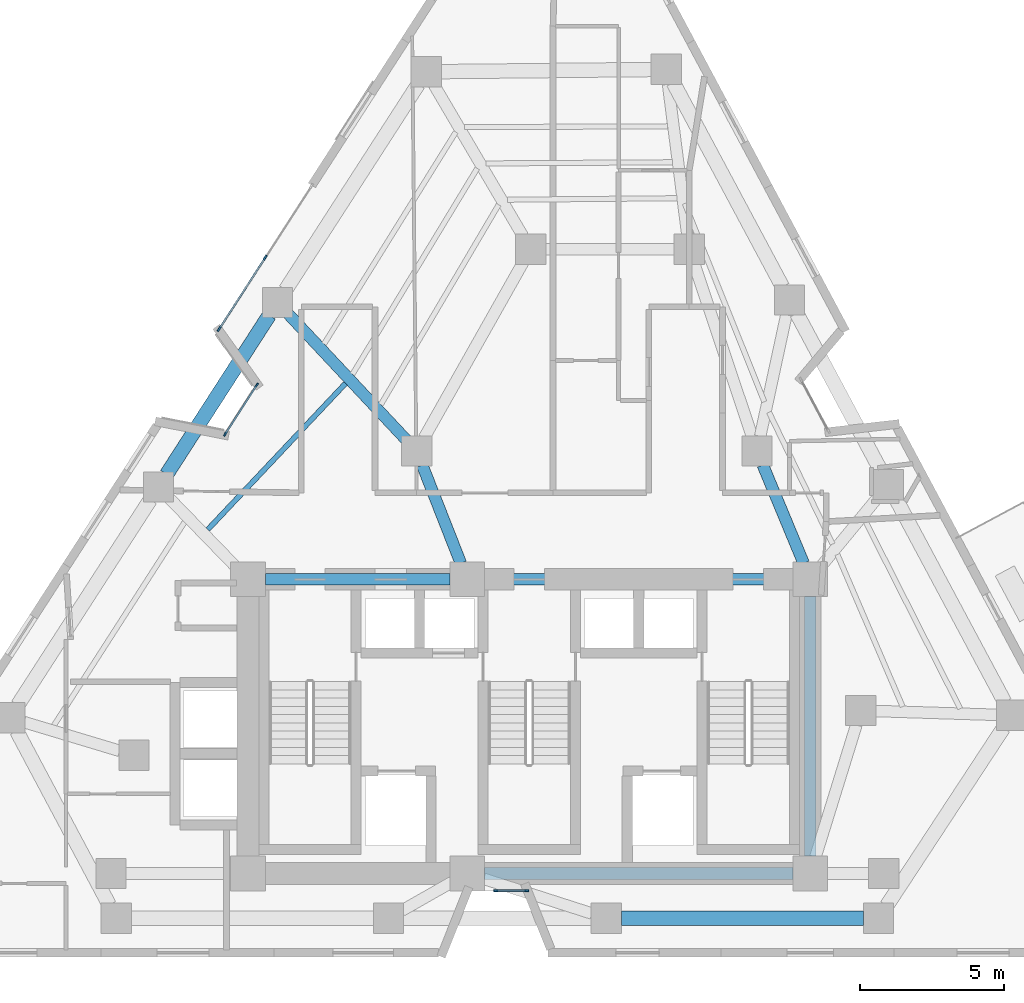
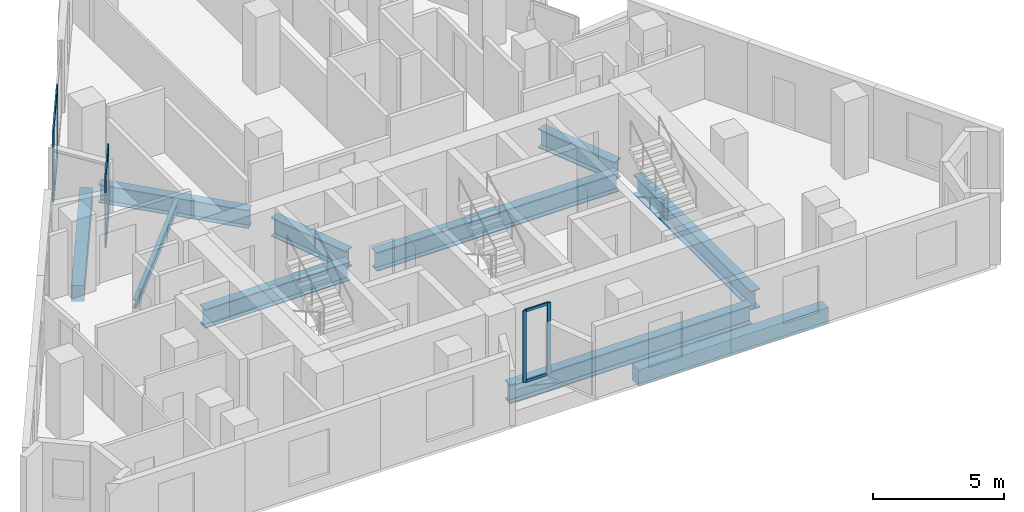
# One storey, part 2 of 12: 12 members, 10 beams, 3 elements without a shape of their own.
"""IFC4 building model written with IfcOpenShell, lengths in metres."""

from ifc_helpers import new_model, si_unit, direction, frame, origin, origin_2d, place, context, subcontext, project, spatial, rectangle, i_section, extrude, material, layer, layer_set, material_profile, profile_set, type_object, element, aggregate, save


model = new_model("IFC4")

# Units and contexts
model_context = context("Model", 3, precision=1e-05, world=origin(), true_north=direction((0.0, 1.0)))
body_context = subcontext(model_context, "Body", "Model", "MODEL_VIEW")
ifc_project = project(units=[si_unit("LENGTHUNIT", "METRE"), si_unit("AREAUNIT", "SQUARE_METRE"), si_unit("VOLUMEUNIT", "CUBIC_METRE"), si_unit("PLANEANGLEUNIT", "RADIAN"), si_unit("MASSUNIT", "GRAM", prefix="KILO")], contexts=[model_context])

# Site, building, storey
site_placement = place(None, origin())
site = spatial("IfcSite", under=ifc_project, at=site_placement, CompositionType="ELEMENT")
building_placement = place(site_placement, origin())
building = spatial("IfcBuilding", under=site, at=building_placement, Name="Almagre Mirador Tower", CompositionType="ELEMENT")
storey_placement = place(building_placement, frame((0.0, 0.0, 182.39990234375)))
storey = spatial("IfcBuildingStorey", under=building, at=storey_placement, Name="L47", CompositionType="ELEMENT", Elevation=182.39990234375)

# Beams
ifc_material_1 = material(Name="Steel ASTM A992 Grade 50", Category="steel")
ifc_material_profile_1 = material_profile(ifc_material_1, i_section(OverallWidth=0.178955078125, OverallDepth=0.408935546875, WebThickness=0.0087890625, FlangeThickness=0.014404296875, FilletRadius=0.013916015625, at=origin_2d()), Name="W16X45")
ifc_profile_set_1 = profile_set([ifc_material_profile_1], Name="Steel ASTM A992 Grade 50")
beam_type_1 = type_object("IfcBeamType", Name="BM-JST-W16X45", PredefinedType="JOIST", material=ifc_profile_set_1)
beam_1_placement = place(storey_placement, frame((30.931396484375, 21.5419921875, -0.454345703125), z_axis=(-0.685923256334, -0.727673887411, 0.0), x_axis=(0.727673887411, -0.685923256334, 0.0)))
element("IfcBeam", 1, at=beam_1_placement, inside=storey, type_object=beam_type_1, Name="L47 secondary floor joist PC10-PC11.2", PredefinedType="JOIST", context=body_context, shape_type="SweptSolid", body=[
    extrude(i_section(OverallWidth=0.178955078125, OverallDepth=0.408935546875, WebThickness=0.0087890625, FlangeThickness=0.014404296875, FilletRadius=0.013916015625, at=origin_2d()), origin(), (0.0, 0.0, 1.0), 6.964599609375),
])
ifc_material_2 = material(Name="Precast concrete C50/60", Category="concrete")
ifc_material_profile_2 = material_profile(ifc_material_2, rectangle(XDim=0.5, YDim=0.75, at=origin_2d()), Name="RC500X750")
ifc_profile_set_2 = profile_set([ifc_material_profile_2], Name="Precast concrete C50/60")
beam_type_2 = type_object("IfcBeamType", Name="BM-SPN-RC500X750", PredefinedType="SPANDREL", material=ifc_profile_set_2)
beam_2_placement = place(storey_placement, frame((40.5009765625, 3.0, -0.625), z_axis=(1.0, 0.0, 0.0), x_axis=(0.0, 1.0, 0.0)))
element("IfcBeam", 2, at=beam_2_placement, inside=storey, type_object=beam_type_2, Name="L47 perimeter spandrel beam PC03-PC04", PredefinedType="SPANDREL", context=body_context, shape_type="SweptSolid", body=[
    extrude(rectangle(XDim=0.5, YDim=0.75, at=origin_2d()), origin(), (0.0, 0.0, 1.0), 8.39013671875),
])
beam_3_placement = place(storey_placement, frame((28.287353515625, 23.90869140625, -0.625), z_axis=(-0.542031160538, -0.840358388431, 0.0), x_axis=(0.840358388431, -0.542031160538, 0.0)))
element("IfcBeam", 3, at=beam_3_placement, inside=storey, type_object=beam_type_2, Name="L47 perimeter spandrel beam PC10-PC11", PredefinedType="SPANDREL", context=body_context, shape_type="SweptSolid", body=[
    extrude(rectangle(XDim=0.5, YDim=0.75, at=origin_2d()), origin(), (0.0, 0.0, 1.0), 6.565673828125),
])
ifc_material_3 = material(Name="Steel ASTM A992 Grade 50", Category="steel")
ifc_material_profile_3 = material_profile(ifc_material_3, i_section(OverallWidth=0.39892578125, OverallDepth=0.85595703125, WebThickness=0.018310546875, FlangeThickness=0.029296875, FilletRadius=0.02490234375, at=origin_2d()), Name="W33X201")
ifc_profile_set_3 = profile_set([ifc_material_profile_3], Name="Steel ASTM A992 Grade 50")
beam_type_3 = type_object("IfcBeamType", Name="BM-STL-W33X201", PredefinedType="BEAM", material=ifc_profile_set_3)
beam_4_placement = place(storey_placement, frame((28.93115234375, 23.967041015625, -0.677978515625), z_axis=(0.683926262896, -0.729551140717, 0.0), x_axis=(0.729551140717, 0.683926262896, 0.0)))
element("IfcBeam", 4, at=beam_4_placement, inside=storey, type_object=beam_type_3, Name="L47 radial floor girder PC10-MC8", PredefinedType="BEAM", context=body_context, shape_type="SweptSolid", body=[
    extrude(i_section(OverallWidth=0.39892578125, OverallDepth=0.85595703125, WebThickness=0.018310546875, FlangeThickness=0.029296875, FilletRadius=0.02490234375, at=origin_2d()), origin(), (0.0, 0.0, 1.0), 6.00927734375),
])
ifc_material_4 = material(Name="Steel ASTM A992 Grade 50", Category="steel")
ifc_material_profile_4 = material_profile(ifc_material_4, i_section(OverallWidth=0.404052734375, OverallDepth=0.884033203125, WebThickness=0.0244140625, FlangeThickness=0.0439453125, FilletRadius=0.02490234375, at=origin_2d()), Name="W33X291")
ifc_profile_set_4 = profile_set([ifc_material_profile_4], Name="Steel ASTM A992 Grade 50")
beam_type_4 = type_object("IfcBeamType", Name="BM-STL-W33X291", PredefinedType="BEAM", material=ifc_profile_set_4)
beam_5_placement = place(storey_placement, frame((35.75, 4.550048828125, -0.69189453125), z_axis=(1.0, 0.0, 0.0), x_axis=(0.0, 1.0, 0.0)))
element("IfcBeam", 5, at=beam_5_placement, inside=storey, type_object=beam_type_4, Name="L47 core tie girder CC2-CC3", PredefinedType="BEAM", context=body_context, shape_type="SweptSolid", body=[
    extrude(i_section(OverallWidth=0.404052734375, OverallDepth=0.884033203125, WebThickness=0.0244140625, FlangeThickness=0.0439453125, FilletRadius=0.02490234375, at=origin_2d()), origin(), (0.0, 0.0, 1.0), 10.699951171875),
])
beam_6_placement = place(storey_placement, frame((28.14990234375, 14.75, -0.69189453125), z_axis=(1.0, 0.0, 0.0), x_axis=(0.0, 1.0, 0.0)))
element("IfcBeam", 6, at=beam_6_placement, inside=storey, type_object=beam_type_4, Name="L47 core tie girder CC4-CC5", PredefinedType="BEAM", context=body_context, shape_type="SweptSolid", body=[
    extrude(i_section(OverallWidth=0.404052734375, OverallDepth=0.884033203125, WebThickness=0.0244140625, FlangeThickness=0.0439453125, FilletRadius=0.02490234375, at=origin_2d()), origin(), (0.0, 0.0, 1.0), 6.400146484375),
])
beam_7_placement = place(storey_placement, frame((35.75, 14.75, -0.69189453125), z_axis=(1.0, 0.0, 0.0), x_axis=(0.0, 1.0, 0.0)))
element("IfcBeam", 7, at=beam_7_placement, inside=storey, type_object=beam_type_4, Name="L47 core tie girder CC5-CC6", PredefinedType="BEAM", context=body_context, shape_type="SweptSolid", body=[
    extrude(i_section(OverallWidth=0.404052734375, OverallDepth=0.884033203125, WebThickness=0.0244140625, FlangeThickness=0.0439453125, FilletRadius=0.02490234375, at=origin_2d()), origin(), (0.0, 0.0, 1.0), 10.699951171875),
])
beam_8_placement = place(storey_placement, frame((47.050048828125, 5.14990234375, -0.69189453125), z_axis=(0.0, 1.0, 0.0), x_axis=(-1.0, 0.0, 0.0)))
element("IfcBeam", 8, at=beam_8_placement, inside=storey, type_object=beam_type_4, Name="L47 core tie girder CC3-CC6", PredefinedType="BEAM", context=body_context, shape_type="SweptSolid", body=[
    extrude(i_section(OverallWidth=0.404052734375, OverallDepth=0.884033203125, WebThickness=0.0244140625, FlangeThickness=0.0439453125, FilletRadius=0.02490234375, at=origin_2d()), origin(), (0.0, 0.0, 1.0), 9.0),
])
beam_9_placement = place(storey_placement, frame((45.401611328125, 18.715087890625, -0.69189453125), z_axis=(0.383845645019, -0.923397271384, 0.0), x_axis=(0.923397271384, 0.383845645019, 0.0)))
element("IfcBeam", 9, at=beam_9_placement, inside=storey, type_object=beam_type_4, Name="L47 core tie girder MC5-CC6", PredefinedType="BEAM", context=body_context, shape_type="SweptSolid", body=[
    extrude(i_section(OverallWidth=0.404052734375, OverallDepth=0.884033203125, WebThickness=0.0244140625, FlangeThickness=0.0439453125, FilletRadius=0.02490234375, at=origin_2d()), origin(), (0.0, 0.0, 1.0), 3.694091796875),
])
beam_10_placement = place(storey_placement, frame((33.592041015625, 18.71142578125, -0.69189453125), z_axis=(0.365997304164, -0.930615910752, 0.0), x_axis=(0.930615910752, 0.365997304164, 0.0)))
element("IfcBeam", 10, at=beam_10_placement, inside=storey, type_object=beam_type_4, Name="L47 core tie girder MC8-CC5", PredefinedType="BEAM", context=body_context, shape_type="SweptSolid", body=[
    extrude(i_section(OverallWidth=0.404052734375, OverallDepth=0.884033203125, WebThickness=0.0244140625, FlangeThickness=0.0439453125, FilletRadius=0.02490234375, at=origin_2d()), origin(), (0.0, 0.0, 1.0), 3.65673828125),
])

# Curtain wall, members
ifc_material_5 = material(Name="Black anodized aluminium", Category="aluminium")
ifc_layer_1 = layer(ifc_material_5, 0.169921875)
ifc_layer_set_1 = layer_set([ifc_layer_1], Name="Black anodized aluminium")
curtain_wall_type_1 = type_object("IfcCurtainWallType", Name="CW-CRS-SYS", PredefinedType="NOTDEFINED", material=ifc_layer_set_1)
curtain_wall_1_placement = place(storey_placement, origin())
curtain_wall_1 = element("IfcCurtainWall", 11, at=curtain_wall_1_placement, inside=storey, type_object=curtain_wall_type_1, Name="L47 vertical crease curtain wall 01", PredefinedType="NOTDEFINED")
ifc_material_6 = material(Name="Black anodized aluminium", Category="aluminium")
ifc_material_profile_5 = material_profile(ifc_material_6, rectangle(XDim=0.06005859375, YDim=0.14990234375, at=origin_2d()), Name="CWM60X150")
ifc_profile_set_5 = profile_set([ifc_material_profile_5], Name="Black anodized aluminium")
member_type_1 = type_object("IfcMemberType", Name="MBR-CWM60X150", PredefinedType="MULLION", material=ifc_profile_set_5)
member_1_placement = place(storey_placement, frame((26.75634765625, 19.78125, 0.0), z_axis=(0.0, 0.0, 1.0), x_axis=(-0.840416121066, 0.541941642109, 0.0)))
member_1 = element("IfcMember", 12, at=member_1_placement, type_object=member_type_1, Name="CW-4 mullion 1", PredefinedType="MULLION", context=body_context, shape_type="SweptSolid", body=[
    extrude(rectangle(XDim=0.06005859375, YDim=0.14990234375, at=origin_2d()), origin(), (0.0, 0.0, 1.0), 3.35009765625),
])
member_2_placement = place(storey_placement, frame((27.856689453125, 21.48779296875, 0.0), z_axis=(0.0, 0.0, 1.0), x_axis=(-0.840416121066, 0.541941642109, 0.0)))
member_2 = element("IfcMember", 13, at=member_2_placement, type_object=member_type_1, Name="CW-4 mullion 2", PredefinedType="MULLION", context=body_context, shape_type="SweptSolid", body=[
    extrude(rectangle(XDim=0.06005859375, YDim=0.14990234375, at=origin_2d()), origin(), (0.0, 0.0, 1.0), 3.35009765625),
])

curtain_wall_2_placement = place(storey_placement, origin())
curtain_wall_2 = element("IfcCurtainWall", 14, at=curtain_wall_2_placement, inside=storey, type_object=curtain_wall_type_1, Name="L47 vertical crease curtain wall 04", PredefinedType="NOTDEFINED")
member_3_placement = place(storey_placement, frame((37.215087890625, 3.949951171875, 0.0), z_axis=(0.0, 0.0, 1.0), x_axis=(0.0, -1.0, 0.0)))
member_3 = element("IfcMember", 15, at=member_3_placement, type_object=member_type_1, Name="CW-4 mullion 1", PredefinedType="MULLION", context=body_context, shape_type="SweptSolid", body=[
    extrude(rectangle(XDim=0.06005859375, YDim=0.14990234375, at=origin_2d()), origin(), (0.0, 0.0, 1.0), 3.35009765625),
])
member_4_placement = place(storey_placement, frame((36.139892578125, 3.949951171875, 0.0), z_axis=(0.0, 0.0, 1.0), x_axis=(0.0, -1.0, 0.0)))
member_4 = element("IfcMember", 16, at=member_4_placement, type_object=member_type_1, Name="CW-4 mullion 2", PredefinedType="MULLION", context=body_context, shape_type="SweptSolid", body=[
    extrude(rectangle(XDim=0.06005859375, YDim=0.14990234375, at=origin_2d()), origin(), (0.0, 0.0, 1.0), 3.35009765625),
])

ifc_material_7 = material(Name="Black anodized aluminium", Category="aluminium")
ifc_layer_2 = layer(ifc_material_7, 0.199951171875)
ifc_layer_set_2 = layer_set([ifc_layer_2], Name="Black anodized aluminium")
curtain_wall_type_2 = type_object("IfcCurtainWallType", Name="CW-RES-H-SYS", PredefinedType="NOTDEFINED", material=ifc_layer_set_2)
curtain_wall_3_placement = place(storey_placement, origin())
curtain_wall_3 = element("IfcCurtainWall", 17, at=curtain_wall_3_placement, inside=storey, type_object=curtain_wall_type_2, Name="L47 curtain wall run 02", PredefinedType="NOTDEFINED")
ifc_material_8 = material(Name="Black anodized aluminium", Category="aluminium")
ifc_material_profile_6 = material_profile(ifc_material_8, rectangle(XDim=0.06494140625, YDim=0.179931640625, at=origin_2d()), Name="CWM65X180")
ifc_profile_set_6 = profile_set([ifc_material_profile_6], Name="Black anodized aluminium")
member_type_2 = type_object("IfcMemberType", Name="MBR-CWM65X180", PredefinedType="MULLION", material=ifc_profile_set_6)
member_5_placement = place(storey_placement, frame((26.547607421875, 23.42431640625, 0.0), z_axis=(0.0, 0.0, 1.0), x_axis=(-0.840360678718, 0.542027609688, 0.0)))
member_5 = element("IfcMember", 18, at=member_5_placement, type_object=member_type_2, Name="CW-3 mullion 1", PredefinedType="MULLION", context=body_context, shape_type="SweptSolid", body=[
    extrude(rectangle(XDim=0.06494140625, YDim=0.179931640625, at=origin_2d()), origin(), (0.0, 0.0, 1.0), 3.35009765625),
])
member_6_placement = place(storey_placement, frame((28.14697265625, 25.904052734375, 0.0), z_axis=(0.0, 0.0, 1.0), x_axis=(-0.840360678718, 0.542027609688, 0.0)))
member_6 = element("IfcMember", 19, at=member_6_placement, type_object=member_type_2, Name="CW-3 mullion 2", PredefinedType="MULLION", context=body_context, shape_type="SweptSolid", body=[
    extrude(rectangle(XDim=0.06494140625, YDim=0.179931640625, at=origin_2d()), origin(), (0.0, 0.0, 1.0), 3.35009765625),
])

# Member
ifc_material_9 = material(Name="Black anodized aluminium", Category="aluminium")
ifc_material_profile_7 = material_profile(ifc_material_9, rectangle(XDim=0.06005859375, YDim=0.1298828125, at=origin_2d()), Name="CWT60X130")
ifc_profile_set_7 = profile_set([ifc_material_profile_7], Name="Black anodized aluminium")
member_type_3 = type_object("IfcMemberType", Name="MBR-CWT60X130", PredefinedType="USERDEFINED", material=ifc_profile_set_7)
member_7_placement = place(storey_placement, frame((26.7724609375, 19.806396484375, 0.030029296875), z_axis=(0.5419716702, 0.840396756717, 0.0), x_axis=(-0.840396756717, 0.5419716702, 0.0)))
member_7 = element("IfcMember", 20, at=member_7_placement, type_object=member_type_3, Name="CW-4 transom 1.1", ObjectType="TRANSOM", PredefinedType="USERDEFINED", context=body_context, shape_type="SweptSolid", body=[
    extrude(rectangle(XDim=0.06005859375, YDim=0.1298828125, at=origin_2d()), origin(), (0.0, 0.0, 1.0), 1.970703125),
])

member_8_placement = place(storey_placement, frame((26.7724609375, 19.806396484375, 3.320068359375), z_axis=(0.5419716702, 0.840396756717, 0.0), x_axis=(-0.840396756717, 0.5419716702, 0.0)))
member_8 = element("IfcMember", 21, at=member_8_placement, type_object=member_type_3, Name="CW-4 transom 1.2", ObjectType="TRANSOM", PredefinedType="USERDEFINED", context=body_context, shape_type="SweptSolid", body=[
    extrude(rectangle(XDim=0.06005859375, YDim=0.1298828125, at=origin_2d()), origin(), (0.0, 0.0, 1.0), 1.970703125),
])

aggregate(curtain_wall_1, [member_1, member_2, member_7, member_8])

member_9_placement = place(storey_placement, frame((37.18505859375, 3.949951171875, 0.030029296875), z_axis=(-1.0, 0.0, 0.0), x_axis=(0.0, -1.0, 0.0)))
member_9 = element("IfcMember", 22, at=member_9_placement, type_object=member_type_3, Name="CW-4 transom 1.1", ObjectType="TRANSOM", PredefinedType="USERDEFINED", context=body_context, shape_type="SweptSolid", body=[
    extrude(rectangle(XDim=0.06005859375, YDim=0.1298828125, at=origin_2d()), origin(), (0.0, 0.0, 1.0), 1.01513671875),
])

member_10_placement = place(storey_placement, frame((37.18505859375, 3.949951171875, 3.320068359375), z_axis=(-1.0, 0.0, 0.0), x_axis=(0.0, -1.0, 0.0)))
member_10 = element("IfcMember", 23, at=member_10_placement, type_object=member_type_3, Name="CW-4 transom 1.2", ObjectType="TRANSOM", PredefinedType="USERDEFINED", context=body_context, shape_type="SweptSolid", body=[
    extrude(rectangle(XDim=0.06005859375, YDim=0.1298828125, at=origin_2d()), origin(), (0.0, 0.0, 1.0), 1.01513671875),
])

aggregate(curtain_wall_2, [member_3, member_4, member_9, member_10])

ifc_material_10 = material(Name="Black anodized aluminium", Category="aluminium")
ifc_material_profile_8 = material_profile(ifc_material_10, rectangle(XDim=0.06494140625, YDim=0.14990234375, at=origin_2d()), Name="CWT65X150")
ifc_profile_set_8 = profile_set([ifc_material_profile_8], Name="Black anodized aluminium")
member_type_4 = type_object("IfcMemberType", Name="MBR-CWT65X150", PredefinedType="USERDEFINED", material=ifc_profile_set_8)
member_11_placement = place(storey_placement, frame((26.565185546875, 23.45166015625, 0.03271484375), z_axis=(0.542044005867, 0.840350103055, 0.0), x_axis=(-0.840350103055, 0.542044005867, 0.0)))
member_11 = element("IfcMember", 24, at=member_11_placement, type_object=member_type_4, Name="CW-3 transom 1.1", ObjectType="TRANSOM", PredefinedType="USERDEFINED", context=body_context, shape_type="SweptSolid", body=[
    extrude(rectangle(XDim=0.06494140625, YDim=0.14990234375, at=origin_2d()), origin(), (0.0, 0.0, 1.0), 2.8857421875),
])

member_12_placement = place(storey_placement, frame((26.565185546875, 23.45166015625, 3.317626953125), z_axis=(0.542044005867, 0.840350103055, 0.0), x_axis=(-0.840350103055, 0.542044005867, 0.0)))
member_12 = element("IfcMember", 25, at=member_12_placement, type_object=member_type_4, Name="CW-3 transom 1.2", ObjectType="TRANSOM", PredefinedType="USERDEFINED", context=body_context, shape_type="SweptSolid", body=[
    extrude(rectangle(XDim=0.06494140625, YDim=0.14990234375, at=origin_2d()), origin(), (0.0, 0.0, 1.0), 2.8857421875),
])

aggregate(curtain_wall_3, [member_5, member_6, member_11, member_12])

save(model, "model.ifc")
